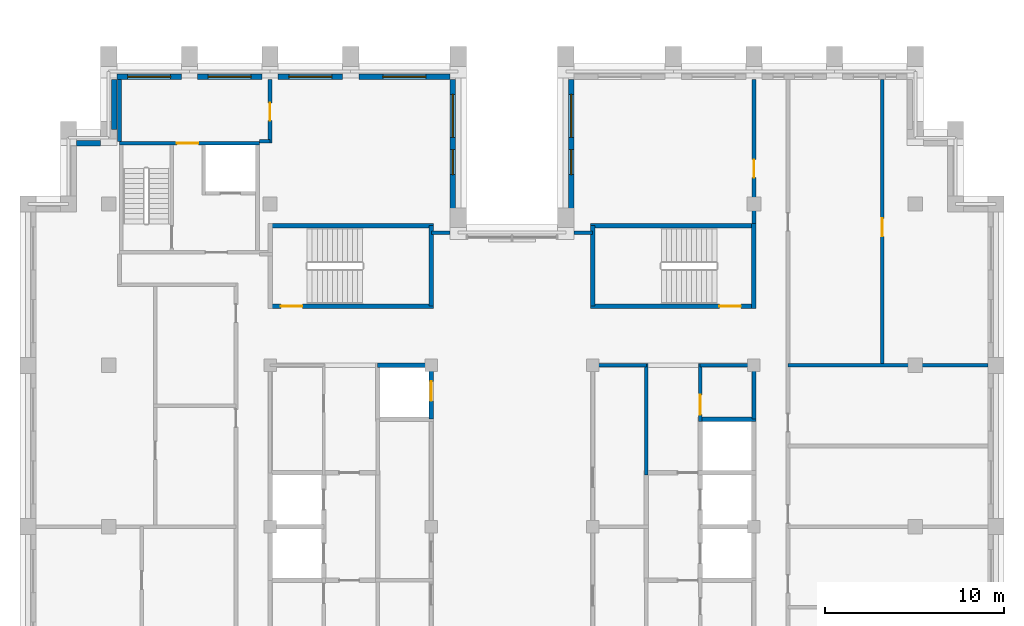
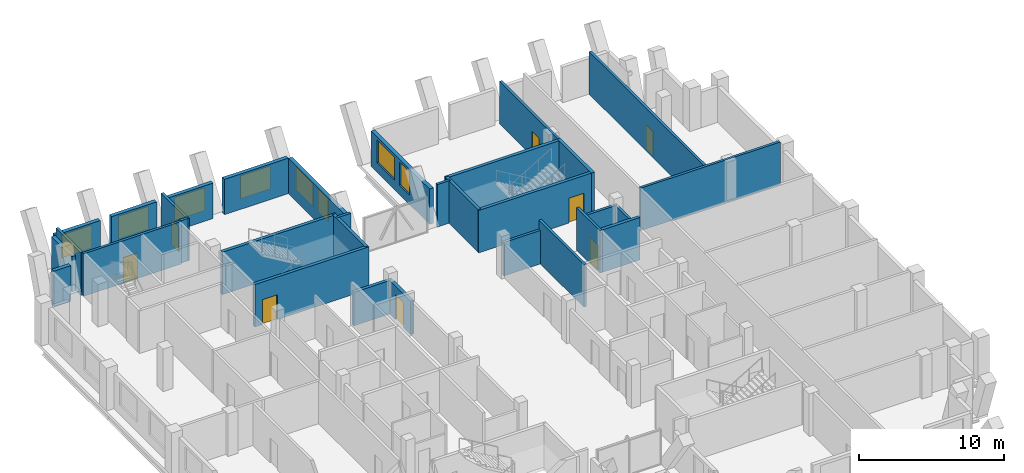
# One storey, part 10 of 13: 32 walls, 8 doors, 8 windows, 16 openings.
"""IFC4 building model written with IfcOpenShell, lengths in metres."""

import ifcopenshell
import ifcopenshell.guid

model = None  # the IFC model being written
_history = None  # IfcOwnerHistory: only IFC2X3 demands one
_inside = {}  # id of a spatial element -> (the spatial element, [elements in it])
_under = {}  # id of a project, library or spatial element -> (it, [spatial elements below it])
_declared = {}  # id of a project -> (the project, [libraries it declares])
_typed = {}  # id of a type object -> (the type object, [elements of that type])
_made_of = {}  # id of a material, layer set ... -> (it, [elements and type objects made of it])


def new_model(schema):
    """Start an empty IFC model of exactly this schema.

    Asked for "IFC4X3", IfcOpenShell would pick the latest addendum, in which some entities
    have other attributes; the version numbers below select the first issue.
    IFC2X3 requires an IfcOwnerHistory on every rooted entity: one is made here for all.
    """
    global model, _history
    if schema == "IFC4X3":
        model = ifcopenshell.file(schema_version=(4, 3, 0, 0))
    else:
        model = ifcopenshell.file(schema=schema)
    _inside.clear()
    _under.clear()
    _declared.clear()
    _typed.clear()
    _made_of.clear()
    _history = None
    if model.schema == "IFC2X3":
        org = make("IfcOrganization", Name="unknown")
        user = make(
            "IfcPersonAndOrganization",
            ThePerson=make("IfcPerson", FamilyName="unknown"),
            TheOrganization=org,
        )
        app = make(
            "IfcApplication",
            ApplicationDeveloper=org,
            Version="unknown",
            ApplicationFullName="unknown",
            ApplicationIdentifier="unknown",
        )
        _history = make(
            "IfcOwnerHistory",
            OwningUser=user,
            OwningApplication=app,
            ChangeAction="ADDED",
            CreationDate=0,
        )
    return model


def make(cls, **values):
    """One entity of the class cls with the attributes given. An attribute that is None is left unset."""
    return model.create_entity(
        cls, **{name: value for name, value in values.items() if value is not None}
    )


def rooted(cls, **values):
    """An entity with a GlobalId (a new one), such as an element, a storey or a relation."""
    return make(cls, GlobalId=ifcopenshell.guid.new(), OwnerHistory=_history, **values)


def si_unit(unit_type, name, prefix=None):
    """IfcSIUnit, for example si_unit("LENGTHUNIT", "METRE", prefix="MILLI")."""
    return make("IfcSIUnit", UnitType=unit_type, Prefix=prefix, Name=name)


def assignment(units):
    """IfcUnitAssignment: the units of a project."""
    return None if units is None else make("IfcUnitAssignment", Units=units)


def point(xyz):
    """IfcCartesianPoint."""
    return None if xyz is None else make("IfcCartesianPoint", Coordinates=xyz)


def direction(xyz):
    """IfcDirection."""
    return None if xyz is None else make("IfcDirection", DirectionRatios=xyz)


def frame(location, z_axis=None, x_axis=None):
    """IfcAxis2Placement3D, a coordinate frame: its origin and axes. An axis left out is left unset."""
    return make(
        "IfcAxis2Placement3D",
        Location=point(location),
        Axis=direction(z_axis),
        RefDirection=direction(x_axis),
    )


def frame_2d(location, x_axis=None):
    """IfcAxis2Placement2D, a coordinate frame in the plane: its origin and x axis."""
    return make(
        "IfcAxis2Placement2D", Location=point(location), RefDirection=direction(x_axis)
    )


def origin():
    """The frame at (0, 0, 0) with its axes left unset."""
    return frame((0.0, 0.0, 0.0))


def place(relative_to, where):
    """IfcLocalPlacement: puts the frame where relative to a parent placement (None: the world)."""
    return make(
        "IfcLocalPlacement", PlacementRelTo=relative_to, RelativePlacement=where
    )


def context(
    kind, dimensions, precision=None, world=None, true_north=None, identifier=None
):
    """IfcGeometricRepresentationContext, for example the 3D "Model" context."""
    return make(
        "IfcGeometricRepresentationContext",
        ContextIdentifier=identifier,
        ContextType=kind,
        CoordinateSpaceDimension=dimensions,
        Precision=precision,
        WorldCoordinateSystem=world,
        TrueNorth=true_north,
    )


def subcontext(parent, identifier, kind, view, scale=None):
    """IfcGeometricRepresentationSubContext, for example "Body" below "Model"."""
    return make(
        "IfcGeometricRepresentationSubContext",
        ContextIdentifier=identifier,
        ContextType=kind,
        ParentContext=parent,
        TargetScale=scale,
        TargetView=view,
    )


def project(units=None, contexts=None):
    """IfcProject with its units and contexts."""
    return rooted(
        "IfcProject",
        Name="project",
        RepresentationContexts=contexts,
        UnitsInContext=assignment(units),
    )


def spatial(cls, under=None, at=None, **own):
    """A site, building, storey or space (cls), placed at a placement, below another one or the project."""
    s = rooted(cls, ObjectPlacement=at, **own)
    if under is not None:
        _under.setdefault(under.id(), (under, []))[1].append(s)
    return s


def profile(cls, at=None, kind="AREA", **sizes):
    """A parametric profile (cls). Its sizes go by their IFC names, for example OverallWidth=200.0."""
    return make(cls, ProfileType=kind, Position=at, **sizes)


def rectangle(**sizes):
    """IfcRectangleProfileDef."""
    return profile("IfcRectangleProfileDef", **sizes)


def extrude(swept, where, along, depth):
    """IfcExtrudedAreaSolid: the profile swept, set in the frame where, extruded along a direction by depth."""
    return make(
        "IfcExtrudedAreaSolid",
        SweptArea=swept,
        Position=where,
        ExtrudedDirection=direction(along),
        Depth=depth,
    )


def shape(context_of_items, identifier, shape_type, items):
    """IfcShapeRepresentation: the items that make up one representation, for example the "Body"."""
    return make(
        "IfcShapeRepresentation",
        ContextOfItems=context_of_items,
        RepresentationIdentifier=identifier,
        RepresentationType=shape_type,
        Items=items,
    )


def material(Name=None, Category=None):
    """IfcMaterial."""
    return make("IfcMaterial", Name=Name, Category=Category)


def layer(
    of_material, thickness, ventilated=None, Name=None, Category=None, Priority=None
):
    """IfcMaterialLayer: one layer of a wall or slab, of a material (None: an air gap)."""
    return make(
        "IfcMaterialLayer",
        Material=of_material,
        LayerThickness=thickness,
        IsVentilated=ventilated,
        Name=Name,
        Category=Category,
        Priority=Priority,
    )


def layer_set(layers, Name=None):
    """IfcMaterialLayerSet."""
    return make("IfcMaterialLayerSet", MaterialLayers=layers, LayerSetName=Name)


def made_of(thing, what):
    """Note that an element or type object is made of a material, layer set ...; save() writes the relation."""
    if what is not None:
        _made_of.setdefault(what.id(), (what, []))[1].append(thing)
    return thing


def type_object(cls, material=None, **own):
    """A type object (cls), such as IfcWallType, which elements share."""
    return made_of(rooted(cls, **own), material)


def element(
    cls,
    number,
    at=None,
    inside=None,
    cuts=None,
    type_object=None,
    material=None,
    context=None,
    identifier="Body",
    shape_type=None,
    held_by="IfcProductDefinitionShape",
    body=None,
    shapes=None,
    **own,
):
    """One element of the class cls, such as IfcWall. Its Tag is "e" and its number.

    at: its placement. inside: the storey or other place that contains it. cuts: it is an
    opening in that element (IfcRelVoidsElement). A single representation is given by context,
    identifier, shape_type and body (its items); several are given by shapes. held_by: the class
    of the entity that holds the representations. save() writes the other relations.
    """
    e = rooted(cls, Tag="e%d" % number, ObjectPlacement=at, **own)
    if body is not None:
        shapes = [shape(context, identifier, shape_type, body)]
    if shapes is not None:
        e.Representation = make(held_by, Representations=shapes)
    if inside is not None:
        _inside.setdefault(inside.id(), (inside, []))[1].append(e)
    if cuts is not None:
        rooted(
            "IfcRelVoidsElement", RelatingBuildingElement=cuts, RelatedOpeningElement=e
        )
    if type_object is not None:
        _typed.setdefault(type_object.id(), (type_object, []))[1].append(e)
    return made_of(e, material)


def fill(opening, filler):
    """IfcRelFillsElement: the door or window that sits in an opening."""
    return rooted(
        "IfcRelFillsElement",
        RelatingOpeningElement=opening,
        RelatedBuildingElement=filler,
    )


def aggregate(whole, parts):
    """IfcRelAggregates: a whole, such as a stair, and the parts it consists of."""
    return rooted("IfcRelAggregates", RelatingObject=whole, RelatedObjects=parts)


def save(model, path):
    """Write the relations noted so far, then the file.

    IfcRelAggregates (storeys below a building ...), IfcRelContainedInSpatialStructure (elements
    in a storey), IfcRelDefinesByType, IfcRelAssociatesMaterial and IfcRelDeclares: one each for
    every whole, place, type object, material and project.
    """
    for whole, parts in _under.values():
        aggregate(whole, parts)
    for where, things in _inside.values():
        rooted(
            "IfcRelContainedInSpatialStructure",
            RelatedElements=things,
            RelatingStructure=where,
        )
    for kind, things in _typed.values():
        rooted("IfcRelDefinesByType", RelatedObjects=things, RelatingType=kind)
    for what, things in _made_of.values():
        rooted("IfcRelAssociatesMaterial", RelatedObjects=things, RelatingMaterial=what)
    for by, libraries in _declared.values():
        rooted("IfcRelDeclares", RelatingContext=by, RelatedDefinitions=libraries)
    model.write(path)


model = new_model("IFC4")

# Units and contexts
model_context = context("Model", 3, precision=1e-05, world=origin(), true_north=direction((0.0, 1.0)))
body_context = subcontext(model_context, "Body", "Model", "MODEL_VIEW")
ifc_project = project(units=[si_unit("LENGTHUNIT", "METRE"), si_unit("AREAUNIT", "SQUARE_METRE"), si_unit("VOLUMEUNIT", "CUBIC_METRE"), si_unit("PLANEANGLEUNIT", "RADIAN"), si_unit("MASSUNIT", "GRAM", prefix="KILO")], contexts=[model_context])

# Site, building, storey
site_placement = place(None, origin())
site = spatial("IfcSite", under=ifc_project, at=site_placement, CompositionType="ELEMENT")
building_placement = place(site_placement, origin())
building = spatial("IfcBuilding", under=site, at=building_placement, Name="Corbelhall Arena Tower", CompositionType="ELEMENT")
storey_placement = place(building_placement, frame((0.0, 0.0, 346.0)))
storey = spatial("IfcBuildingStorey", under=building, at=storey_placement, Name="L76", CompositionType="ELEMENT", Elevation=346.0)

# Wall, openings, windows
ifc_material_1 = material(Name="Precast concrete C40/50 with granite facing", Category="masonry")
ifc_layer_1 = layer(ifc_material_1, 0.300048828125)
ifc_layer_set_1 = layer_set([ifc_layer_1], Name="EV-IW1 Infill panel 300")
wall_type_1 = type_object("IfcWallType", Name="EV-IW1 Infill panel 300", PredefinedType="SOLIDWALL", material=ifc_layer_set_1)
wall_1_placement = place(storey_placement, frame((3.300048828125, 24.949951171875, 0.0), z_axis=(0.0, 0.0, 1.0), x_axis=(0.0, -1.0, 0.0)))
wall_1 = element("IfcWall", 1, at=wall_1_placement, inside=storey, type_object=wall_type_1, Name="Infill panel IW1", PredefinedType="SOLIDWALL", context=body_context, shape_type="SweptSolid", body=[
    extrude(rectangle(XDim=8.099853515625, YDim=0.300048828125, at=frame_2d((4.0498046875, 0.0))), origin(), (0.0, 0.0, 1.0), 2.989990234375),
])
opening_1_placement = place(wall_1_placement, frame((0.824951171875, 0.0, 0.800048828125)))
opening_1 = element("IfcOpeningElement", 2, at=opening_1_placement, cuts=wall_1, Name="Opening WN1", PredefinedType="OPENING", context=body_context, shape_type="SweptSolid", body=[
    extrude(rectangle(XDim=2.39990234375, YDim=1.949951171875, at=frame_2d((1.199951171875, 0.97509765625))), frame((0.0, 0.14990234375, 0.0), z_axis=(0.0, -1.0, 0.0), x_axis=(1.0, 0.0, 0.0)), (0.0, 0.0, 1.0), 0.300048828125),
])
opening_2_placement = place(wall_1_placement, frame((3.91259765625, 0.0, 0.800048828125)))
opening_2 = element("IfcOpeningElement", 3, at=opening_2_placement, cuts=wall_1, Name="Opening WN7", PredefinedType="OPENING", context=body_context, shape_type="SweptSolid", body=[
    extrude(rectangle(XDim=1.39990234375, YDim=1.949951171875, at=frame_2d((0.699951171875, 0.97509765625))), frame((0.0, 0.14990234375, 0.0), z_axis=(0.0, -1.0, 0.0), x_axis=(1.0, 0.0, 0.0)), (0.0, 0.0, 1.0), 0.300048828125),
])
ifc_material_2 = material(Name="Aluminium black anodised", Category="aluminium")
window_type_1 = type_object("IfcWindowType", Name="EV-WN1 Office window", PartitioningType="SINGLE_PANEL", PredefinedType="WINDOW", material=ifc_material_2)
window_1_placement = place(opening_1_placement, origin())
window_1 = element("IfcWindow", 4, at=window_1_placement, inside=storey, type_object=window_type_1, Name="Window WN1", OverallHeight=1.949951171875, OverallWidth=2.39990234375, PartitioningType="SINGLE_PANEL", PredefinedType="WINDOW", context=body_context, shape_type="SweptSolid", body=[
    extrude(rectangle(XDim=2.39990234375, YDim=1.949951171875, at=frame_2d((1.199951171875, 0.97509765625))), frame((0.0, 0.030029296875, 0.0), z_axis=(0.0, -1.0, 0.0), x_axis=(1.0, 0.0, 0.0)), (0.0, 0.0, 1.0), 0.06005859375),
])
fill(opening_1, window_1)
window_type_2 = type_object("IfcWindowType", Name="EV-WN7 Office window 1400", PartitioningType="SINGLE_PANEL", PredefinedType="WINDOW", material=ifc_material_2)
window_2_placement = place(opening_2_placement, origin())
window_2 = element("IfcWindow", 5, at=window_2_placement, inside=storey, type_object=window_type_2, Name="Window WN7", OverallHeight=1.949951171875, OverallWidth=1.39990234375, PartitioningType="SINGLE_PANEL", PredefinedType="WINDOW", context=body_context, shape_type="SweptSolid", body=[
    extrude(rectangle(XDim=1.39990234375, YDim=1.949951171875, at=frame_2d((0.699951171875, 0.97509765625))), frame((0.0, 0.030029296875, 0.0), z_axis=(0.0, -1.0, 0.0), x_axis=(1.0, 0.0, 0.0)), (0.0, 0.0, 1.0), 0.06005859375),
])
fill(opening_2, window_2)

wall_2_placement = place(storey_placement, frame((-3.300048828125, 16.85009765625, 0.0), z_axis=(0.0, 0.0, 1.0), x_axis=(0.0, 1.0, 0.0)))
wall_2 = element("IfcWall", 6, at=wall_2_placement, inside=storey, type_object=wall_type_1, Name="Infill panel IW1", PredefinedType="SOLIDWALL", context=body_context, shape_type="SweptSolid", body=[
    extrude(rectangle(XDim=8.099853515625, YDim=0.300048828125, at=frame_2d((4.0498046875, 0.0))), origin(), (0.0, 0.0, 1.0), 2.989990234375),
])
opening_3_placement = place(wall_2_placement, frame((4.875, 0.0, 0.800048828125)))
opening_3 = element("IfcOpeningElement", 7, at=opening_3_placement, cuts=wall_2, Name="Opening WN1", PredefinedType="OPENING", context=body_context, shape_type="SweptSolid", body=[
    extrude(rectangle(XDim=2.39990234375, YDim=1.949951171875, at=frame_2d((1.199951171875, 0.97509765625))), frame((0.0, 0.14990234375, 0.0), z_axis=(0.0, -1.0, 0.0), x_axis=(1.0, 0.0, 0.0)), (0.0, 0.0, 1.0), 0.300048828125),
])
opening_4_placement = place(wall_2_placement, frame((2.78759765625, 0.0, 0.800048828125)))
opening_4 = element("IfcOpeningElement", 8, at=opening_4_placement, cuts=wall_2, Name="Opening WN7", PredefinedType="OPENING", context=body_context, shape_type="SweptSolid", body=[
    extrude(rectangle(XDim=1.39990234375, YDim=1.949951171875, at=frame_2d((0.699951171875, 0.97509765625))), frame((0.0, 0.14990234375, 0.0), z_axis=(0.0, -1.0, 0.0), x_axis=(1.0, 0.0, 0.0)), (0.0, 0.0, 1.0), 0.300048828125),
])
window_3_placement = place(opening_3_placement, origin())
window_3 = element("IfcWindow", 9, at=window_3_placement, inside=storey, type_object=window_type_1, Name="Window WN1", OverallHeight=1.949951171875, OverallWidth=2.39990234375, PartitioningType="SINGLE_PANEL", PredefinedType="WINDOW", context=body_context, shape_type="SweptSolid", body=[
    extrude(rectangle(XDim=2.39990234375, YDim=1.949951171875, at=frame_2d((1.199951171875, 0.97509765625))), frame((0.0, 0.030029296875, 0.0), z_axis=(0.0, -1.0, 0.0), x_axis=(1.0, 0.0, 0.0)), (0.0, 0.0, 1.0), 0.06005859375),
])
fill(opening_3, window_3)
window_4_placement = place(opening_4_placement, origin())
window_4 = element("IfcWindow", 10, at=window_4_placement, inside=storey, type_object=window_type_2, Name="Window WN7", OverallHeight=1.949951171875, OverallWidth=1.39990234375, PartitioningType="SINGLE_PANEL", PredefinedType="WINDOW", context=body_context, shape_type="SweptSolid", body=[
    extrude(rectangle(XDim=1.39990234375, YDim=1.949951171875, at=frame_2d((0.699951171875, 0.97509765625))), frame((0.0, 0.030029296875, 0.0), z_axis=(0.0, -1.0, 0.0), x_axis=(1.0, 0.0, 0.0)), (0.0, 0.0, 1.0), 0.06005859375),
])
fill(opening_4, window_4)

# Wall, opening, window
wall_3_placement = place(storey_placement, frame((-3.449951171875, 25.10009765625, 0.0), z_axis=(0.0, 0.0, 1.0), x_axis=(-1.0, 0.0, 0.0)))
wall_3 = element("IfcWall", 11, at=wall_3_placement, inside=storey, type_object=wall_type_1, Name="Infill panel IW1", PredefinedType="SOLIDWALL", context=body_context, shape_type="SweptSolid", body=[
    extrude(rectangle(XDim=5.10009765625, YDim=0.300048828125, at=frame_2d((2.550048828125, 0.0))), origin(), (0.0, 0.0, 1.0), 2.989990234375),
])
opening_5_placement = place(wall_3_placement, frame((1.35009765625, 0.0, 0.800048828125)))
opening_5 = element("IfcOpeningElement", 12, at=opening_5_placement, cuts=wall_3, Name="Opening WN1", PredefinedType="OPENING", context=body_context, shape_type="SweptSolid", body=[
    extrude(rectangle(XDim=2.39990234375, YDim=1.949951171875, at=frame_2d((1.199951171875, 0.97509765625))), frame((0.0, 0.14990234375, 0.0), z_axis=(0.0, -1.0, 0.0), x_axis=(1.0, 0.0, 0.0)), (0.0, 0.0, 1.0), 0.300048828125),
])
window_5_placement = place(opening_5_placement, origin())
window_5 = element("IfcWindow", 13, at=window_5_placement, inside=storey, type_object=window_type_1, Name="Window WN1", OverallHeight=1.949951171875, OverallWidth=2.39990234375, PartitioningType="SINGLE_PANEL", PredefinedType="WINDOW", context=body_context, shape_type="SweptSolid", body=[
    extrude(rectangle(XDim=2.39990234375, YDim=1.949951171875, at=frame_2d((1.199951171875, 0.97509765625))), frame((0.0, 0.030029296875, 0.0), z_axis=(0.0, -1.0, 0.0), x_axis=(1.0, 0.0, 0.0)), (0.0, 0.0, 1.0), 0.06005859375),
])
fill(opening_5, window_5)

wall_4_placement = place(storey_placement, frame((-9.449951171875, 25.10009765625, 0.0), z_axis=(0.0, 0.0, 1.0), x_axis=(-1.0, 0.0, 0.0)))
wall_4 = element("IfcWall", 14, at=wall_4_placement, inside=storey, type_object=wall_type_1, Name="Infill panel IW1", PredefinedType="SOLIDWALL", context=body_context, shape_type="SweptSolid", body=[
    extrude(rectangle(XDim=3.60009765625, YDim=0.300048828125, at=frame_2d((1.800048828125, 0.0))), origin(), (0.0, 0.0, 1.0), 2.989990234375),
])
opening_6_placement = place(wall_4_placement, frame((0.60009765625, 0.0, 0.800048828125)))
opening_6 = element("IfcOpeningElement", 15, at=opening_6_placement, cuts=wall_4, Name="Opening WN1", PredefinedType="OPENING", context=body_context, shape_type="SweptSolid", body=[
    extrude(rectangle(XDim=2.39990234375, YDim=1.949951171875, at=frame_2d((1.199951171875, 0.97509765625))), frame((0.0, 0.14990234375, 0.0), z_axis=(0.0, -1.0, 0.0), x_axis=(1.0, 0.0, 0.0)), (0.0, 0.0, 1.0), 0.300048828125),
])
window_6_placement = place(opening_6_placement, origin())
window_6 = element("IfcWindow", 16, at=window_6_placement, inside=storey, type_object=window_type_1, Name="Window WN1", OverallHeight=1.949951171875, OverallWidth=2.39990234375, PartitioningType="SINGLE_PANEL", PredefinedType="WINDOW", context=body_context, shape_type="SweptSolid", body=[
    extrude(rectangle(XDim=2.39990234375, YDim=1.949951171875, at=frame_2d((1.199951171875, 0.97509765625))), frame((0.0, 0.030029296875, 0.0), z_axis=(0.0, -1.0, 0.0), x_axis=(1.0, 0.0, 0.0)), (0.0, 0.0, 1.0), 0.06005859375),
])
fill(opening_6, window_6)

wall_5_placement = place(storey_placement, frame((-13.949951171875, 25.10009765625, 0.0), z_axis=(0.0, 0.0, 1.0), x_axis=(-1.0, 0.0, 0.0)))
wall_5 = element("IfcWall", 17, at=wall_5_placement, inside=storey, type_object=wall_type_1, Name="Infill panel IW1", PredefinedType="SOLIDWALL", context=body_context, shape_type="SweptSolid", body=[
    extrude(rectangle(XDim=3.60009765625, YDim=0.300048828125, at=frame_2d((1.800048828125, 0.0))), origin(), (0.0, 0.0, 1.0), 2.989990234375),
])
opening_7_placement = place(wall_5_placement, frame((0.60009765625, 0.0, 0.800048828125)))
opening_7 = element("IfcOpeningElement", 18, at=opening_7_placement, cuts=wall_5, Name="Opening WN1", PredefinedType="OPENING", context=body_context, shape_type="SweptSolid", body=[
    extrude(rectangle(XDim=2.39990234375, YDim=1.949951171875, at=frame_2d((1.199951171875, 0.97509765625))), frame((0.0, 0.14990234375, 0.0), z_axis=(0.0, -1.0, 0.0), x_axis=(1.0, 0.0, 0.0)), (0.0, 0.0, 1.0), 0.300048828125),
])
window_7_placement = place(opening_7_placement, origin())
window_7 = element("IfcWindow", 19, at=window_7_placement, inside=storey, type_object=window_type_1, Name="Window WN1", OverallHeight=1.949951171875, OverallWidth=2.39990234375, PartitioningType="SINGLE_PANEL", PredefinedType="WINDOW", context=body_context, shape_type="SweptSolid", body=[
    extrude(rectangle(XDim=2.39990234375, YDim=1.949951171875, at=frame_2d((1.199951171875, 0.97509765625))), frame((0.0, 0.030029296875, 0.0), z_axis=(0.0, -1.0, 0.0), x_axis=(1.0, 0.0, 0.0)), (0.0, 0.0, 1.0), 0.06005859375),
])
fill(opening_7, window_7)

wall_6_placement = place(storey_placement, frame((-18.449951171875, 25.10009765625, 0.0), z_axis=(0.0, 0.0, 1.0), x_axis=(-1.0, 0.0, 0.0)))
wall_6 = element("IfcWall", 20, at=wall_6_placement, inside=storey, type_object=wall_type_1, Name="Infill panel IW1", PredefinedType="SOLIDWALL", context=body_context, shape_type="SweptSolid", body=[
    extrude(rectangle(XDim=3.60009765625, YDim=0.300048828125, at=frame_2d((1.800048828125, 0.0))), origin(), (0.0, 0.0, 1.0), 2.989990234375),
])
opening_8_placement = place(wall_6_placement, frame((0.60009765625, 0.0, 0.800048828125)))
opening_8 = element("IfcOpeningElement", 21, at=opening_8_placement, cuts=wall_6, Name="Opening WN1", PredefinedType="OPENING", context=body_context, shape_type="SweptSolid", body=[
    extrude(rectangle(XDim=2.39990234375, YDim=1.949951171875, at=frame_2d((1.199951171875, 0.97509765625))), frame((0.0, 0.14990234375, 0.0), z_axis=(0.0, -1.0, 0.0), x_axis=(1.0, 0.0, 0.0)), (0.0, 0.0, 1.0), 0.300048828125),
])
window_8_placement = place(opening_8_placement, origin())
window_8 = element("IfcWindow", 22, at=window_8_placement, inside=storey, type_object=window_type_1, Name="Window WN1", OverallHeight=1.949951171875, OverallWidth=2.39990234375, PartitioningType="SINGLE_PANEL", PredefinedType="WINDOW", context=body_context, shape_type="SweptSolid", body=[
    extrude(rectangle(XDim=2.39990234375, YDim=1.949951171875, at=frame_2d((1.199951171875, 0.97509765625))), frame((0.0, 0.030029296875, 0.0), z_axis=(0.0, -1.0, 0.0), x_axis=(1.0, 0.0, 0.0)), (0.0, 0.0, 1.0), 0.06005859375),
])
fill(opening_8, window_8)

# Walls
wall_7_placement = place(storey_placement, frame((-22.199951171875, 24.949951171875, 0.0), z_axis=(0.0, 0.0, 1.0), x_axis=(0.0, -1.0, 0.0)))
element("IfcWall", 23, at=wall_7_placement, inside=storey, type_object=wall_type_1, Name="Infill panel IW1", PredefinedType="SOLIDWALL", context=body_context, shape_type="SweptSolid", body=[
    extrude(rectangle(XDim=2.800048828125, YDim=0.300048828125, at=frame_2d((1.39990234375, 0.0))), origin(), (0.0, 0.0, 1.0), 2.989990234375),
])
wall_8_placement = place(storey_placement, frame((-22.949951171875, 21.39990234375, 0.0), z_axis=(0.0, 0.0, 1.0), x_axis=(-1.0, 0.0, 0.0)))
element("IfcWall", 24, at=wall_8_placement, inside=storey, type_object=wall_type_1, Name="Infill panel IW1", PredefinedType="SOLIDWALL", context=body_context, shape_type="SweptSolid", body=[
    extrude(rectangle(XDim=1.35009765625, YDim=0.300048828125, at=frame_2d((0.675048828125, 0.0))), origin(), (0.0, 0.0, 1.0), 2.989990234375),
])
ifc_material_3 = material(Name="Gypsum board on steel stud, acoustic", Category="steel")
ifc_layer_2 = layer(ifc_material_3, 0.199951171875)
ifc_layer_set_2 = layer_set([ifc_layer_2], Name="IN-W-DM200")
wall_type_2 = type_object("IfcWallType", Name="IN-W-DM200", PredefinedType="PARTITIONING", material=ifc_layer_set_2)
wall_9_placement = place(storey_placement, frame((-21.89990234375, 21.5, 0.0), z_axis=(0.0, 0.0, 1.0), x_axis=(0.0, 1.0, 0.0)))
element("IfcWall", 25, at=wall_9_placement, inside=storey, type_object=wall_type_2, Name="Partition 005", PredefinedType="PARTITIONING", context=body_context, shape_type="SweptSolid", body=[
    extrude(rectangle(XDim=3.449951171875, YDim=0.199951171875, at=frame_2d((1.72509765625, 0.0))), origin(), (0.0, 0.0, 1.0), 3.590087890625),
])
wall_10_placement = place(storey_placement, frame((-13.5, 21.5, 0.0), z_axis=(0.0, 0.0, 1.0), x_axis=(-1.0, 0.0, 0.0)))
element("IfcWall", 26, at=wall_10_placement, inside=storey, type_object=wall_type_2, Name="Partition 014", PredefinedType="PARTITIONING", context=body_context, shape_type="SweptSolid", body=[
    extrude(rectangle(XDim=0.60009765625, YDim=0.199951171875, at=frame_2d((0.300048828125, 0.0))), origin(), (0.0, 0.0, 1.0), 3.590087890625),
])

# Wall, opening, door
wall_11_placement = place(storey_placement, frame((-13.5, 24.949951171875, 0.0), z_axis=(0.0, 0.0, 1.0), x_axis=(0.0, -1.0, 0.0)))
wall_11 = element("IfcWall", 27, at=wall_11_placement, inside=storey, type_object=wall_type_2, Name="Partition 015", PredefinedType="PARTITIONING", context=body_context, shape_type="SweptSolid", body=[
    extrude(rectangle(XDim=3.550048828125, YDim=0.199951171875, at=frame_2d((1.77490234375, 0.0))), origin(), (0.0, 0.0, 1.0), 3.590087890625),
])
opening_9_placement = place(wall_11_placement, frame((1.300048828125, 0.0, 0.0)))
opening_9 = element("IfcOpeningElement", 28, at=opening_9_placement, cuts=wall_11, Name="Opening 24018", PredefinedType="OPENING", context=body_context, shape_type="SweptSolid", body=[
    extrude(rectangle(XDim=1.0, YDim=2.10009765625, at=frame_2d((0.5, 1.050048828125))), frame((0.0, 0.10009765625, 0.0), z_axis=(0.0, -1.0, 0.0), x_axis=(1.0, 0.0, 0.0)), (0.0, 0.0, 1.0), 0.199951171875),
])
ifc_material_4 = material(Name="Steel door set", Category="steel")
door_type_1 = type_object("IfcDoorType", Name="IN-D-SW100", OperationType="NOTDEFINED", PredefinedType="DOOR", material=ifc_material_4)
door_1_placement = place(opening_9_placement, origin())
door_1 = element("IfcDoor", 29, at=door_1_placement, inside=storey, type_object=door_type_1, Name="Door 018", OperationType="SINGLE_SWING_LEFT", OverallHeight=2.10009765625, OverallWidth=1.0, PredefinedType="DOOR", context=body_context, shape_type="SweptSolid", body=[
    extrude(rectangle(XDim=1.0, YDim=2.10009765625, at=frame_2d((0.5, 1.050048828125))), frame((0.0, 0.02490234375, 0.0), z_axis=(0.0, -1.0, 0.0), x_axis=(1.0, 0.0, 0.0)), (0.0, 0.0, 1.0), 0.050048828125),
])
fill(opening_9, door_1)

# Walls
for number, where, z_axis, x_axis, name in (
    (30, (-4.5, 16.39990234375, 0.0), (0.0, 0.0, 1.0), (1.0, 0.0, 0.0), "Partition 016"),
    (31, (3.449951171875, 16.39990234375, 0.0), (0.0, 0.0, 1.0), (1.0, 0.0, 0.0), "Partition 018"),
):
    element("IfcWall", number, at=place(storey_placement, frame(where, z_axis=z_axis, x_axis=x_axis)), inside=storey, type_object=wall_type_2, Name=name, PredefinedType="PARTITIONING", context=body_context, shape_type="SweptSolid", body=[
        extrude(rectangle(XDim=1.050048828125, YDim=0.199951171875, at=frame_2d((0.52490234375, 0.0))), origin(), (0.0, 0.0, 1.0), 3.590087890625),
    ])

# Wall, opening, door
wall_12_placement = place(storey_placement, frame((13.5, 16.675048828125, 0.0), z_axis=(0.0, 0.0, 1.0), x_axis=(0.0, 1.0, 0.0)))
wall_12 = element("IfcWall", 32, at=wall_12_placement, inside=storey, type_object=wall_type_2, Name="Partition 021", PredefinedType="PARTITIONING", context=body_context, shape_type="SweptSolid", body=[
    extrude(rectangle(XDim=8.27490234375, YDim=0.199951171875, at=frame_2d((4.137451171875, 0.0))), origin(), (0.0, 0.0, 1.0), 3.590087890625),
])
opening_10_placement = place(wall_12_placement, frame((2.800048828125, 0.0, 0.0)))
opening_10 = element("IfcOpeningElement", 33, at=opening_10_placement, cuts=wall_12, Name="Opening 24019", PredefinedType="OPENING", context=body_context, shape_type="SweptSolid", body=[
    extrude(rectangle(XDim=1.0, YDim=2.10009765625, at=frame_2d((0.5, 1.050048828125))), frame((0.0, 0.10009765625, 0.0), z_axis=(0.0, -1.0, 0.0), x_axis=(1.0, 0.0, 0.0)), (0.0, 0.0, 1.0), 0.199951171875),
])
door_2_placement = place(opening_10_placement, origin())
door_2 = element("IfcDoor", 34, at=door_2_placement, inside=storey, type_object=door_type_1, Name="Door 019", OperationType="SINGLE_SWING_RIGHT", OverallHeight=2.10009765625, OverallWidth=1.0, PredefinedType="DOOR", context=body_context, shape_type="SweptSolid", body=[
    extrude(rectangle(XDim=1.0, YDim=2.10009765625, at=frame_2d((0.5, 1.050048828125))), frame((0.0, 0.02490234375, 0.0), z_axis=(0.0, -1.0, 0.0), x_axis=(1.0, 0.0, 0.0)), (0.0, 0.0, 1.0), 0.050048828125),
])
fill(opening_10, door_2)

# Wall
wall_13_placement = place(storey_placement, frame((15.39990234375, 9.0, 0.0), z_axis=(0.0, 0.0, 1.0), x_axis=(1.0, 0.0, 0.0)))
element("IfcWall", 35, at=wall_13_placement, inside=storey, type_object=wall_type_2, Name="Partition 028", PredefinedType="PARTITIONING", context=body_context, shape_type="SweptSolid", body=[
    extrude(rectangle(XDim=11.150146484375, YDim=0.199951171875, at=frame_2d((5.5751953125, 0.0))), origin(), (0.0, 0.0, 1.0), 3.590087890625),
])

# Wall, opening, door
wall_14_placement = place(storey_placement, frame((20.64990234375, 24.949951171875, 0.0), z_axis=(0.0, 0.0, 1.0), x_axis=(0.0, -1.0, 0.0)))
wall_14 = element("IfcWall", 36, at=wall_14_placement, inside=storey, type_object=wall_type_2, Name="Partition 029", PredefinedType="PARTITIONING", context=body_context, shape_type="SweptSolid", body=[
    extrude(rectangle(XDim=15.949951171875, YDim=0.199951171875, at=frame_2d((7.97509765625, 0.0))), origin(), (0.0, 0.0, 1.0), 3.590087890625),
])
opening_11_placement = place(wall_14_placement, frame((7.75, 0.0, 0.0)))
opening_11 = element("IfcOpeningElement", 37, at=opening_11_placement, cuts=wall_14, Name="Opening 24033", PredefinedType="OPENING", context=body_context, shape_type="SweptSolid", body=[
    extrude(rectangle(XDim=1.0, YDim=2.10009765625, at=frame_2d((0.5, 1.050048828125))), frame((0.0, 0.10009765625, 0.0), z_axis=(0.0, -1.0, 0.0), x_axis=(1.0, 0.0, 0.0)), (0.0, 0.0, 1.0), 0.199951171875),
])
door_3_placement = place(opening_11_placement, origin())
door_3 = element("IfcDoor", 38, at=door_3_placement, inside=storey, type_object=door_type_1, Name="Door 033", OperationType="SINGLE_SWING_RIGHT", OverallHeight=2.10009765625, OverallWidth=1.0, PredefinedType="DOOR", context=body_context, shape_type="SweptSolid", body=[
    extrude(rectangle(XDim=1.0, YDim=2.10009765625, at=frame_2d((0.5, 1.050048828125))), frame((0.0, 0.02490234375, 0.0), z_axis=(0.0, -1.0, 0.0), x_axis=(1.0, 0.0, 0.0)), (0.0, 0.0, 1.0), 0.050048828125),
])
fill(opening_11, door_3)

ifc_material_5 = material(Name="Concrete C40/50", Category="concrete")
ifc_layer_3 = layer(ifc_material_5, 0.199951171875)
ifc_layer_set_3 = layer_set([ifc_layer_3], Name="IN-W-EAR200")
wall_type_3 = type_object("IfcWallType", Name="IN-W-EAR200", PredefinedType="SOLIDWALL", material=ifc_layer_set_3)
wall_15_placement = place(storey_placement, frame((-21.89990234375, 21.39990234375, 0.0), z_axis=(0.0, 0.0, 1.0), x_axis=(1.0, 0.0, 0.0)))
wall_15 = element("IfcWall", 39, at=wall_15_placement, inside=storey, type_object=wall_type_3, Name="Fire service turret wall north", PredefinedType="SOLIDWALL", context=body_context, shape_type="SweptSolid", body=[
    extrude(rectangle(XDim=7.7998046875, YDim=0.199951171875, at=frame_2d((3.89990234375, 0.0))), origin(), (0.0, 0.0, 1.0), 3.590087890625),
])
opening_12_placement = place(wall_15_placement, frame((3.199951171875, 0.0, 0.0)))
opening_12 = element("IfcOpeningElement", 40, at=opening_12_placement, cuts=wall_15, Name="Opening E243", PredefinedType="OPENING", context=body_context, shape_type="SweptSolid", body=[
    extrude(rectangle(XDim=1.199951171875, YDim=2.10009765625, at=frame_2d((0.60009765625, 1.050048828125))), frame((0.0, 0.10009765625, 0.0), z_axis=(0.0, -1.0, 0.0), x_axis=(1.0, 0.0, 0.0)), (0.0, 0.0, 1.0), 0.199951171875),
])
door_type_2 = type_object("IfcDoorType", Name="IN-D-ST120", OperationType="NOTDEFINED", PredefinedType="DOOR", material=ifc_material_4)
door_4_placement = place(opening_12_placement, origin())
door_4 = element("IfcDoor", 41, at=door_4_placement, inside=storey, type_object=door_type_2, Name="Door from fire service lift lobby to the north gallery", OperationType="SINGLE_SWING_LEFT", OverallHeight=2.10009765625, OverallWidth=1.199951171875, PredefinedType="DOOR", context=body_context, shape_type="SweptSolid", body=[
    extrude(rectangle(XDim=1.199951171875, YDim=2.10009765625, at=frame_2d((0.60009765625, 1.050048828125))), frame((0.0, 0.02490234375, 0.0), z_axis=(0.0, -1.0, 0.0), x_axis=(1.0, 0.0, 0.0)), (0.0, 0.0, 1.0), 0.050048828125),
])
fill(opening_12, door_4)

# Wall
ifc_material_6 = material(Name="Concrete block wall", Category="concrete")
ifc_layer_4 = layer(ifc_material_6, 0.199951171875)
ifc_layer_set_4 = layer_set([ifc_layer_4], Name="IN-W-RS200")
wall_type_4 = type_object("IfcWallType", Name="IN-W-RS200", PredefinedType="SOLIDWALL", material=ifc_layer_set_4)
wall_16_placement = place(storey_placement, frame((7.5, 9.10009765625, 0.0), z_axis=(0.0, 0.0, 1.0), x_axis=(0.0, -1.0, 0.0)))
element("IfcWall", 42, at=wall_16_placement, inside=storey, type_object=wall_type_4, Name="Partition 042", PredefinedType="SOLIDWALL", context=body_context, shape_type="SweptSolid", body=[
    extrude(rectangle(XDim=6.22509765625, YDim=0.199951171875, at=frame_2d((3.112548828125, 0.0))), origin(), (0.0, 0.0, 1.0), 3.590087890625),
])

# Wall, opening, door
wall_17_placement = place(storey_placement, frame((10.5, 9.10009765625, 0.0), z_axis=(0.0, 0.0, 1.0), x_axis=(0.0, -1.0, 0.0)))
wall_17 = element("IfcWall", 43, at=wall_17_placement, inside=storey, type_object=wall_type_4, Name="Partition 045", PredefinedType="SOLIDWALL", context=body_context, shape_type="SweptSolid", body=[
    extrude(rectangle(XDim=3.22509765625, YDim=0.199951171875, at=frame_2d((1.612548828125, 0.0))), origin(), (0.0, 0.0, 1.0), 3.590087890625),
])
opening_13_placement = place(wall_17_placement, frame((1.75, 0.0, 0.0)))
opening_13 = element("IfcOpeningElement", 44, at=opening_13_placement, cuts=wall_17, Name="Opening 24013", PredefinedType="OPENING", context=body_context, shape_type="SweptSolid", body=[
    extrude(rectangle(XDim=1.10009765625, YDim=2.10009765625, at=frame_2d((0.550048828125, 1.050048828125))), frame((0.0, 0.10009765625, 0.0), z_axis=(0.0, -1.0, 0.0), x_axis=(1.0, 0.0, 0.0)), (0.0, 0.0, 1.0), 0.199951171875),
])
door_type_3 = type_object("IfcDoorType", Name="IN-D-FD110", OperationType="NOTDEFINED", PredefinedType="DOOR", material=ifc_material_4)
door_5_placement = place(opening_13_placement, origin())
door_5 = element("IfcDoor", 45, at=door_5_placement, inside=storey, type_object=door_type_3, Name="Door 013", OperationType="SINGLE_SWING_RIGHT", OverallHeight=2.10009765625, OverallWidth=1.10009765625, PredefinedType="DOOR", context=body_context, shape_type="SweptSolid", body=[
    extrude(rectangle(XDim=1.10009765625, YDim=2.10009765625, at=frame_2d((0.550048828125, 1.050048828125))), frame((0.0, 0.02490234375, 0.0), z_axis=(0.0, -1.0, 0.0), x_axis=(1.0, 0.0, 0.0)), (0.0, 0.0, 1.0), 0.050048828125),
])
fill(opening_13, door_5)

# Walls
ifc_layer_5 = layer(ifc_material_6, 0.199951171875)
ifc_layer_set_5 = layer_set([ifc_layer_5], Name="IN-W-RS200 under beam 762 mm")
wall_type_5 = type_object("IfcWallType", Name="IN-W-RS200 under beam 762 mm", PredefinedType="SOLIDWALL", material=ifc_layer_set_5)
for number, where, z_axis, x_axis, name in (
    (46, (4.5, 9.0, 0.0), (0.0, 0.0, 1.0), (1.0, 0.0, 0.0), "Partition 040"),
    (47, (10.5, 9.0, 0.0), (0.0, 0.0, 1.0), (1.0, 0.0, 0.0), "Partition 044"),
):
    element("IfcWall", number, at=place(storey_placement, frame(where, z_axis=z_axis, x_axis=x_axis)), inside=storey, type_object=wall_type_5, Name=name, PredefinedType="SOLIDWALL", context=body_context, shape_type="SweptSolid", body=[
        extrude(rectangle(XDim=3.0, YDim=0.199951171875, at=frame_2d((1.5, 0.0))), origin(), (0.0, 0.0, 1.0), 2.827880859375),
    ])
wall_18_placement = place(storey_placement, frame((13.5, 9.10009765625, 0.0), z_axis=(0.0, 0.0, 1.0), x_axis=(0.0, -1.0, 0.0)))
element("IfcWall", 48, at=wall_18_placement, inside=storey, type_object=wall_type_5, Name="Partition 047", PredefinedType="SOLIDWALL", context=body_context, shape_type="SweptSolid", body=[
    extrude(rectangle(XDim=3.10009765625, YDim=0.199951171875, at=frame_2d((1.550048828125, 0.0))), origin(), (0.0, 0.0, 1.0), 2.827880859375),
])
ifc_layer_6 = layer(ifc_material_5, 0.25)
ifc_layer_set_6 = layer_set([ifc_layer_6], Name="IN-W-SH250")
wall_type_6 = type_object("IfcWallType", Name="IN-W-SH250", PredefinedType="SOLIDWALL", material=ifc_layer_set_6)
wall_19_placement = place(storey_placement, frame((10.5, 6.0, 0.0), z_axis=(0.0, 0.0, 1.0), x_axis=(1.0, 0.0, 0.0)))
element("IfcWall", 49, at=wall_19_placement, inside=storey, type_object=wall_type_6, Name="Shaft wall 067", PredefinedType="SOLIDWALL", context=body_context, shape_type="SweptSolid", body=[
    extrude(rectangle(XDim=3.125, YDim=0.25, at=frame_2d((1.5625, 0.0))), origin(), (0.0, 0.0, 1.0), 3.590087890625),
])
ifc_layer_7 = layer(ifc_material_5, 0.25)
ifc_layer_set_7 = layer_set([ifc_layer_7], Name="IN-W-SH250 under beam 762 mm")
wall_type_7 = type_object("IfcWallType", Name="IN-W-SH250 under beam 762 mm", PredefinedType="SOLIDWALL", material=ifc_layer_set_7)
wall_20_placement = place(storey_placement, frame((-7.5, 9.0, 0.0), z_axis=(0.0, 0.0, 1.0), x_axis=(1.0, 0.0, 0.0)))
element("IfcWall", 50, at=wall_20_placement, inside=storey, type_object=wall_type_7, Name="Shaft wall 056", PredefinedType="SOLIDWALL", context=body_context, shape_type="SweptSolid", body=[
    extrude(rectangle(XDim=3.0, YDim=0.25, at=frame_2d((1.5, 0.0))), origin(), (0.0, 0.0, 1.0), 2.827880859375),
])

# Wall, opening, door
wall_21_placement = place(storey_placement, frame((-4.5, 9.125, 0.0), z_axis=(0.0, 0.0, 1.0), x_axis=(0.0, -1.0, 0.0)))
wall_21 = element("IfcWall", 51, at=wall_21_placement, inside=storey, type_object=wall_type_7, Name="Shaft wall 057", PredefinedType="SOLIDWALL", context=body_context, shape_type="SweptSolid", body=[
    extrude(rectangle(XDim=3.125, YDim=0.25, at=frame_2d((1.5625, 0.0))), origin(), (0.0, 0.0, 1.0), 2.827880859375),
])
opening_14_placement = place(wall_21_placement, frame((1.012451171875, 0.0, 0.0)))
opening_14 = element("IfcOpeningElement", 52, at=opening_14_placement, cuts=wall_21, Name="Opening LD", PredefinedType="OPENING", context=body_context, shape_type="SweptSolid", body=[
    extrude(rectangle(XDim=1.10009765625, YDim=2.10009765625, at=frame_2d((0.550048828125, 1.050048828125))), frame((0.0, 0.125, 0.0), z_axis=(0.0, -1.0, 0.0), x_axis=(1.0, 0.0, 0.0)), (0.0, 0.0, 1.0), 0.25),
])
door_type_4 = type_object("IfcDoorType", Name="IN-D-LD110", OperationType="NOTDEFINED", PredefinedType="DOOR", material=ifc_material_4)
door_6_placement = place(opening_14_placement, origin())
door_6 = element("IfcDoor", 53, at=door_6_placement, inside=storey, type_object=door_type_4, Name="Landing door W6", OperationType="SLIDING_TO_LEFT", OverallHeight=2.10009765625, OverallWidth=1.10009765625, PredefinedType="DOOR", context=body_context, shape_type="SweptSolid", body=[
    extrude(rectangle(XDim=1.10009765625, YDim=2.10009765625, at=frame_2d((0.550048828125, 1.050048828125))), frame((0.0, 0.02490234375, 0.0), z_axis=(0.0, -1.0, 0.0), x_axis=(1.0, 0.0, 0.0)), (0.0, 0.0, 1.0), 0.050048828125),
])
fill(opening_14, door_6)

ifc_layer_8 = layer(ifc_material_5, 0.25)
ifc_layer_set_8 = layer_set([ifc_layer_8], Name="IN-W-ST250")
wall_type_8 = type_object("IfcWallType", Name="IN-W-ST250", PredefinedType="SOLIDWALL", material=ifc_layer_set_8)
wall_22_placement = place(storey_placement, frame((-13.5, 12.300048828125, 0.0), z_axis=(0.0, 0.0, 1.0), x_axis=(1.0, 0.0, 0.0)))
wall_22 = element("IfcWall", 54, at=wall_22_placement, inside=storey, type_object=wall_type_8, Name="Shaft wall 070", PredefinedType="SOLIDWALL", context=body_context, shape_type="SweptSolid", body=[
    extrude(rectangle(XDim=9.125, YDim=0.25, at=frame_2d((4.5625, 0.0))), origin(), (0.0, 0.0, 1.0), 3.590087890625),
])
opening_15_placement = place(wall_22_placement, frame((0.60009765625, 0.0, 0.0)))
opening_15 = element("IfcOpeningElement", 55, at=opening_15_placement, cuts=wall_22, Name="Opening 24014", PredefinedType="OPENING", context=body_context, shape_type="SweptSolid", body=[
    extrude(rectangle(XDim=1.199951171875, YDim=2.10009765625, at=frame_2d((0.60009765625, 1.050048828125))), frame((0.0, 0.125, 0.0), z_axis=(0.0, -1.0, 0.0), x_axis=(1.0, 0.0, 0.0)), (0.0, 0.0, 1.0), 0.25),
])
door_7_placement = place(opening_15_placement, origin())
door_7 = element("IfcDoor", 56, at=door_7_placement, inside=storey, type_object=door_type_2, Name="Door 014", OperationType="SINGLE_SWING_LEFT", OverallHeight=2.10009765625, OverallWidth=1.199951171875, PredefinedType="DOOR", context=body_context, shape_type="SweptSolid", body=[
    extrude(rectangle(XDim=1.199951171875, YDim=2.10009765625, at=frame_2d((0.60009765625, 1.050048828125))), frame((0.0, 0.02490234375, 0.0), z_axis=(0.0, -1.0, 0.0), x_axis=(1.0, 0.0, 0.0)), (0.0, 0.0, 1.0), 0.050048828125),
])
fill(opening_15, door_7)

# Walls
wall_23_placement = place(storey_placement, frame((-13.5, 16.800048828125, 0.0), z_axis=(0.0, 0.0, 1.0), x_axis=(1.0, 0.0, 0.0)))
element("IfcWall", 57, at=wall_23_placement, inside=storey, type_object=wall_type_8, Name="Shaft wall 072", PredefinedType="SOLIDWALL", context=body_context, shape_type="SweptSolid", body=[
    extrude(rectangle(XDim=9.125, YDim=0.25, at=frame_2d((4.5625, 0.0))), origin(), (0.0, 0.0, 1.0), 3.590087890625),
])
wall_24_placement = place(storey_placement, frame((-4.5, 16.800048828125, 0.0), z_axis=(0.0, 0.0, 1.0), x_axis=(0.0, -1.0, 0.0)))
element("IfcWall", 58, at=wall_24_placement, inside=storey, type_object=wall_type_8, Name="Shaft wall 075", PredefinedType="SOLIDWALL", context=body_context, shape_type="SweptSolid", body=[
    extrude(rectangle(XDim=4.5, YDim=0.25, at=frame_2d((2.25, 0.0))), origin(), (0.0, 0.0, 1.0), 3.590087890625),
])

# Wall, opening, door
wall_25_placement = place(storey_placement, frame((4.375, 12.300048828125, 0.0), z_axis=(0.0, 0.0, 1.0), x_axis=(1.0, 0.0, 0.0)))
wall_25 = element("IfcWall", 59, at=wall_25_placement, inside=storey, type_object=wall_type_8, Name="Shaft wall 077", PredefinedType="SOLIDWALL", context=body_context, shape_type="SweptSolid", body=[
    extrude(rectangle(XDim=9.125, YDim=0.25, at=frame_2d((4.5625, 0.0))), origin(), (0.0, 0.0, 1.0), 3.590087890625),
])
opening_16_placement = place(wall_25_placement, frame((7.199951171875, 0.0, 0.0)))
opening_16 = element("IfcOpeningElement", 60, at=opening_16_placement, cuts=wall_25, Name="Opening 24016", PredefinedType="OPENING", context=body_context, shape_type="SweptSolid", body=[
    extrude(rectangle(XDim=1.199951171875, YDim=2.10009765625, at=frame_2d((0.60009765625, 1.050048828125))), frame((0.0, 0.125, 0.0), z_axis=(0.0, -1.0, 0.0), x_axis=(1.0, 0.0, 0.0)), (0.0, 0.0, 1.0), 0.25),
])
door_8_placement = place(opening_16_placement, origin())
door_8 = element("IfcDoor", 61, at=door_8_placement, inside=storey, type_object=door_type_2, Name="Door 016", OperationType="SINGLE_SWING_LEFT", OverallHeight=2.10009765625, OverallWidth=1.199951171875, PredefinedType="DOOR", context=body_context, shape_type="SweptSolid", body=[
    extrude(rectangle(XDim=1.199951171875, YDim=2.10009765625, at=frame_2d((0.60009765625, 1.050048828125))), frame((0.0, 0.02490234375, 0.0), z_axis=(0.0, -1.0, 0.0), x_axis=(1.0, 0.0, 0.0)), (0.0, 0.0, 1.0), 0.050048828125),
])
fill(opening_16, door_8)

# Walls
wall_26_placement = place(storey_placement, frame((4.375, 16.800048828125, 0.0), z_axis=(0.0, 0.0, 1.0), x_axis=(1.0, 0.0, 0.0)))
element("IfcWall", 62, at=wall_26_placement, inside=storey, type_object=wall_type_8, Name="Shaft wall 078", PredefinedType="SOLIDWALL", context=body_context, shape_type="SweptSolid", body=[
    extrude(rectangle(XDim=9.125, YDim=0.25, at=frame_2d((4.5625, 0.0))), origin(), (0.0, 0.0, 1.0), 3.590087890625),
])
wall_27_placement = place(storey_placement, frame((4.5, 12.300048828125, 0.0), z_axis=(0.0, 0.0, 1.0), x_axis=(0.0, 1.0, 0.0)))
element("IfcWall", 63, at=wall_27_placement, inside=storey, type_object=wall_type_8, Name="Shaft wall 080", PredefinedType="SOLIDWALL", context=body_context, shape_type="SweptSolid", body=[
    extrude(rectangle(XDim=4.5, YDim=0.25, at=frame_2d((2.25, 0.0))), origin(), (0.0, 0.0, 1.0), 3.590087890625),
])
wall_28_placement = place(storey_placement, frame((13.5, 12.175048828125, 0.0), z_axis=(0.0, 0.0, 1.0), x_axis=(0.0, 1.0, 0.0)))
element("IfcWall", 64, at=wall_28_placement, inside=storey, type_object=wall_type_8, Name="Shaft wall 084", PredefinedType="SOLIDWALL", context=body_context, shape_type="SweptSolid", body=[
    extrude(rectangle(XDim=4.75, YDim=0.25, at=frame_2d((2.375, 0.0))), origin(), (0.0, 0.0, 1.0), 3.590087890625),
])

save(model, "model.ifc")
